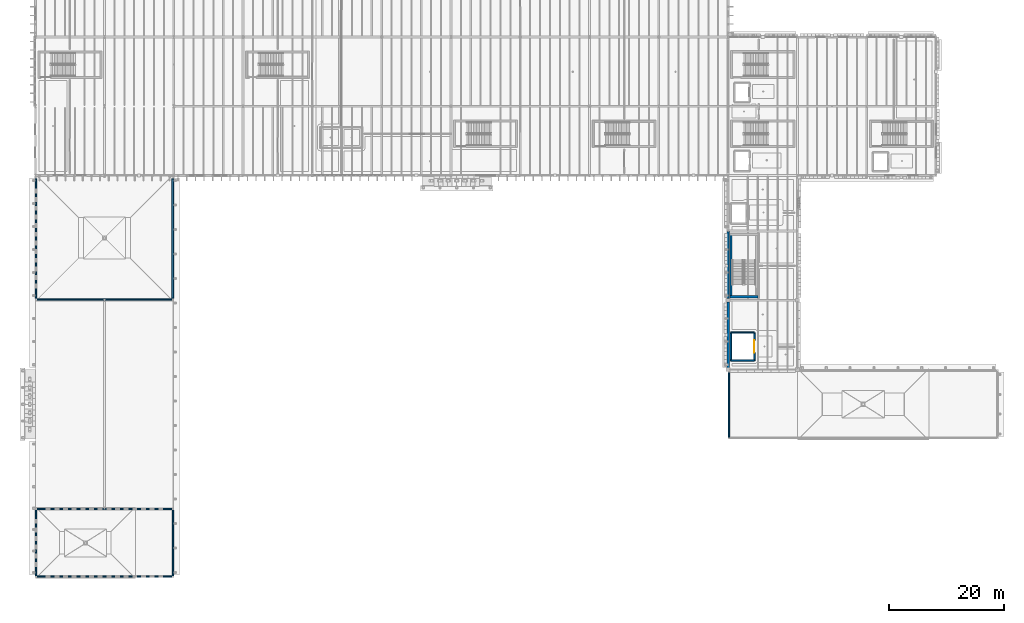
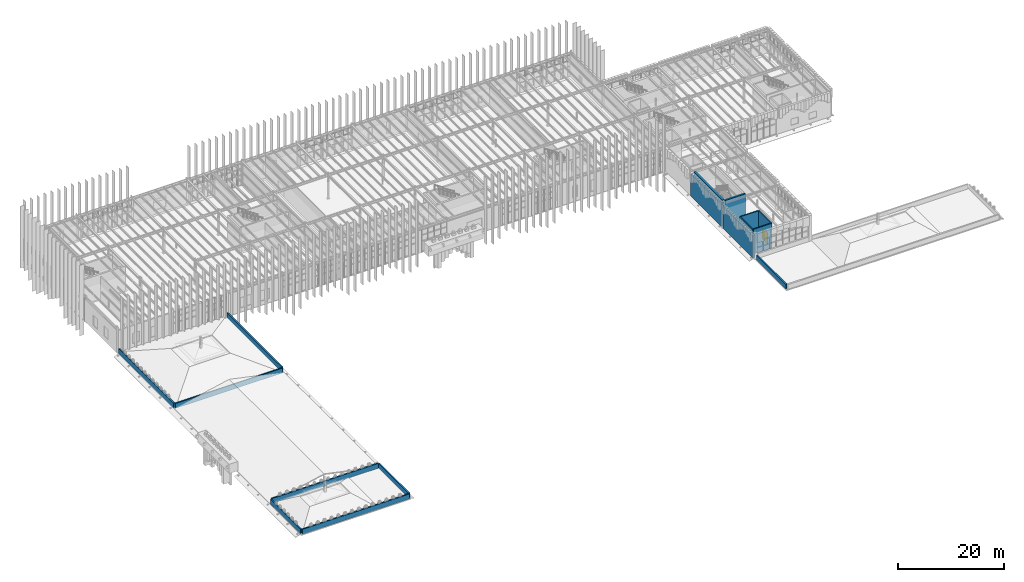
# One storey, part 44 of 83: 16 walls, 1 door, 1 opening.
"""IFC4 building model written with IfcOpenShell, lengths in metres."""

from ifc_helpers import new_model, si_unit, direction, frame, frame_2d, origin, place, context, subcontext, project, spatial, rectangle, extrude, material, layer, layer_set, type_object, element, fill, save


model = new_model("IFC4")

# Units and contexts
model_context = context("Model", 3, precision=1e-05, world=origin(), true_north=direction((0.0, 1.0)))
body_context = subcontext(model_context, "Body", "Model", "MODEL_VIEW")
ifc_project = project(units=[si_unit("LENGTHUNIT", "METRE"), si_unit("AREAUNIT", "SQUARE_METRE"), si_unit("VOLUMEUNIT", "CUBIC_METRE"), si_unit("PLANEANGLEUNIT", "RADIAN"), si_unit("MASSUNIT", "GRAM", prefix="KILO")], contexts=[model_context])

# Site, building, storey
site_placement = place(None, origin())
site = spatial("IfcSite", under=ifc_project, at=site_placement, CompositionType="ELEMENT")
building_placement = place(site_placement, origin())
building = spatial("IfcBuilding", under=site, at=building_placement, Name="Zlatogorsky Bluff Art Gallery", CompositionType="ELEMENT")
storey_placement = place(building_placement, frame((0.0, 0.0, 10.800048828125)))
storey = spatial("IfcBuildingStorey", under=building, at=storey_placement, Name="L02", CompositionType="ELEMENT", Elevation=10.800048828125)

# Walls
ifc_material_1 = material(Name="Precast concrete C40/50", Category="concrete")
ifc_layer_1 = layer(ifc_material_1, 0.43994140625)
ifc_layer_set_1 = layer_set([ifc_layer_1], Name="Exterior Wall EW-03 440mm")
wall_type_1 = type_object("IfcWallType", Name="Exterior Wall EW-03 440mm", PredefinedType="SOLIDWALL", material=ifc_layer_set_1)
wall_1_placement = place(storey_placement, frame((120.0, 62.080078125, 0.0), z_axis=(0.0, 0.0, 1.0), x_axis=(0.0, -1.0, 0.0)))
element("IfcWall", 1, at=wall_1_placement, inside=storey, type_object=wall_type_1, Name="Exterior wall EW-03 L02 W 10.5", PredefinedType="SOLIDWALL", context=body_context, shape_type="SweptSolid", body=[
    extrude(rectangle(XDim=11.360107421875, YDim=0.43994140625, at=frame_2d((5.68017578125, 0.0))), origin(), (0.0, 0.0, 1.0), 5.10986328125),
])
ifc_layer_2 = layer(ifc_material_1, 0.320068359375)
ifc_layer_set_2 = layer_set([ifc_layer_2], Name="Exterior Wall EW-04 320mm")
wall_type_2 = type_object("IfcWallType", Name="Exterior Wall EW-04 320mm", PredefinedType="SOLIDWALL", material=ifc_layer_set_2)
wall_2_placement = place(storey_placement, frame((120.0, 74.39990234375, 0.0), z_axis=(0.0, 0.0, 1.0), x_axis=(0.0, -1.0, 0.0)))
element("IfcWall", 2, at=wall_2_placement, inside=storey, type_object=wall_type_2, Name="Exterior wall EW-04 L02 W 10.6", PredefinedType="SOLIDWALL", context=body_context, shape_type="SweptSolid", body=[
    extrude(rectangle(XDim=11.679931640625, YDim=0.320068359375, at=frame_2d((5.83984375, 0.0))), origin(), (0.0, 0.0, 1.0), 5.10986328125),
])
ifc_layer_3 = layer(ifc_material_1, 0.260009765625)
ifc_layer_set_3 = layer_set([ifc_layer_3], Name="Exterior Wall PR-W1 260mm")
wall_type_3 = type_object("IfcWallType", Name="Exterior Wall PR-W1 260mm", PredefinedType="PARAPET", material=ifc_layer_set_3)
for number, where, z_axis, x_axis, name in (
    (3, (23.840087890625, 26.080078125, 0.0), (0.0, 0.0, 1.0), (0.0, -1.0, 0.0), "Sandstone roof parapet ROOF-FLAT-L02-01.1"),
    (4, (0.159912109375, 14.719970703125, 0.0), (0.0, 0.0, 1.0), (0.0, 1.0, 0.0), "Sandstone roof parapet ROOF-FLAT-L02-01.3"),
):
    element("IfcWall", number, at=place(storey_placement, frame(where, z_axis=z_axis, x_axis=x_axis)), inside=storey, type_object=wall_type_3, Name=name, PredefinedType="PARAPET", context=body_context, shape_type="SweptSolid", body=[
        extrude(rectangle(XDim=11.360107421875, YDim=0.260009765625, at=frame_2d((5.68017578125, 0.0))), origin(), (0.0, 0.0, 1.0), 1.14990234375),
    ])
wall_3_placement = place(storey_placement, frame((120.159912109375, 38.719970703125, 0.0), z_axis=(0.0, 0.0, 1.0), x_axis=(0.0, 1.0, 0.0)))
element("IfcWall", 5, at=wall_3_placement, inside=storey, type_object=wall_type_3, Name="Sandstone roof parapet ROOF-FLAT-L02-02.3", PredefinedType="PARAPET", context=body_context, shape_type="SweptSolid", body=[
    extrude(rectangle(XDim=11.159912109375, YDim=0.260009765625, at=frame_2d((5.580078125, 0.0))), origin(), (0.0, 0.0, 1.0), 1.14990234375),
])
wall_4_placement = place(storey_placement, frame((23.679931640625, 62.56005859375, 0.0), z_axis=(0.0, 0.0, 1.0), x_axis=(-1.0, 0.0, 0.0)))
element("IfcWall", 6, at=wall_4_placement, inside=storey, type_object=wall_type_3, Name="Sandstone roof parapet ROOF-FLAT-L02-03.3", PredefinedType="PARAPET", context=body_context, shape_type="SweptSolid", body=[
    extrude(rectangle(XDim=23.35986328125, YDim=0.260009765625, at=frame_2d((11.679931640625, 0.0))), origin(), (0.0, 0.0, 1.0), 1.14990234375),
])
ifc_layer_4 = layer(ifc_material_1, 0.300048828125)
ifc_layer_set_4 = layer_set([ifc_layer_4], Name="Exterior Wall PR-W2 300mm")
wall_type_4 = type_object("IfcWallType", Name="Exterior Wall PR-W2 300mm", PredefinedType="PARAPET", material=ifc_layer_set_4)
for number, where, z_axis, x_axis, name in (
    (7, (23.679931640625, 14.56005859375, 0.0), (0.0, 0.0, 1.0), (-1.0, 0.0, 0.0), "Sandstone roof parapet ROOF-FLAT-L02-01.2"),
    (8, (0.320068359375, 26.239990234375, 0.0), (0.0, 0.0, 1.0), (1.0, 0.0, 0.0), "Sandstone roof parapet ROOF-FLAT-L02-01.4"),
):
    element("IfcWall", number, at=place(storey_placement, frame(where, z_axis=z_axis, x_axis=x_axis)), inside=storey, type_object=wall_type_4, Name=name, PredefinedType="PARAPET", context=body_context, shape_type="SweptSolid", body=[
        extrude(rectangle(XDim=23.35986328125, YDim=0.300048828125, at=frame_2d((11.679931640625, 0.0))), origin(), (0.0, 0.0, 1.0), 1.14990234375),
    ])
for number, where, z_axis, x_axis, name in (
    (9, (23.840087890625, 83.47998046875, 0.0), (0.0, 0.0, 1.0), (0.0, -1.0, 0.0), "Sandstone roof parapet ROOF-FLAT-L02-03.2"),
    (10, (0.159912109375, 62.719970703125, 0.0), (0.0, 0.0, 1.0), (0.0, 1.0, 0.0), "Sandstone roof parapet ROOF-FLAT-L02-03.4"),
):
    element("IfcWall", number, at=place(storey_placement, frame(where, z_axis=z_axis, x_axis=x_axis)), inside=storey, type_object=wall_type_4, Name=name, PredefinedType="PARAPET", context=body_context, shape_type="SweptSolid", body=[
        extrude(rectangle(XDim=20.760009765625, YDim=0.300048828125, at=frame_2d((10.3798828125, 0.0))), origin(), (0.0, 0.0, 1.0), 1.14990234375),
    ])
ifc_material_2 = material(Name="Concrete C35/45", Category="concrete")
ifc_layer_5 = layer(ifc_material_2, 0.25)
ifc_layer_set_5 = layer_set([ifc_layer_5], Name="Interior Wall IW-05 250mm")
wall_type_5 = type_object("IfcWallType", Name="Interior Wall IW-05 250mm", PredefinedType="SOLIDWALL", material=ifc_layer_set_5)
wall_5_placement = place(storey_placement, frame((120.4951171875, 51.97509765625, 0.0), z_axis=(0.0, 0.0, 1.0), x_axis=(1.0, 0.0, 0.0)))
element("IfcWall", 11, at=wall_5_placement, inside=storey, type_object=wall_type_5, Name="Lift GL-1 shaft wall L02 S", PredefinedType="SOLIDWALL", context=body_context, shape_type="SweptSolid", body=[
    extrude(rectangle(XDim=4.0498046875, YDim=0.25, at=frame_2d((2.02490234375, 0.0))), origin(), (0.0, 0.0, 1.0), 5.68994140625),
])

# Wall, opening, door
wall_6_placement = place(storey_placement, frame((124.544921875, 51.97509765625, 0.0), z_axis=(0.0, 0.0, 1.0), x_axis=(0.0, 1.0, 0.0)))
wall_6 = element("IfcWall", 12, at=wall_6_placement, inside=storey, type_object=wall_type_5, Name="Lift GL-1 shaft wall L02 E", PredefinedType="SOLIDWALL", context=body_context, shape_type="SweptSolid", body=[
    extrude(rectangle(XDim=4.849853515625, YDim=0.25, at=frame_2d((2.4248046875, 0.0))), origin(), (0.0, 0.0, 1.0), 5.68994140625),
])
opening_placement = place(wall_6_placement, frame((1.324951171875, 0.0, 0.0)))
opening = element("IfcOpeningElement", 13, at=opening_placement, cuts=wall_6, Name="Opening LD-04", PredefinedType="OPENING", context=body_context, shape_type="SweptSolid", body=[
    extrude(rectangle(XDim=2.199951171875, YDim=2.64990234375, at=frame_2d((1.10009765625, 1.324951171875))), frame((0.0, 0.135009765625, 0.0), z_axis=(0.0, -1.0, 0.0), x_axis=(1.0, 0.0, 0.0)), (0.0, 0.0, 1.0), 0.27001953125),
])
ifc_material_3 = material(Name="Anodised Aluminium and Laminated Timber", Category="wood")
door_type = type_object("IfcDoorType", Name="Interior Door LD-04 2200x2650", OperationType="DOUBLE_DOOR_SLIDING", PredefinedType="DOOR", material=ifc_material_3)
door_placement = place(opening_placement, origin())
door = element("IfcDoor", 14, at=door_placement, inside=storey, type_object=door_type, Name="Lift GL-1 sliding landing door L02", OperationType="DOUBLE_DOOR_SLIDING", OverallHeight=2.64990234375, OverallWidth=2.199951171875, PredefinedType="DOOR", context=body_context, shape_type="SweptSolid", body=[
    extrude(rectangle(XDim=2.199951171875, YDim=2.64990234375, at=frame_2d((1.10009765625, 1.324951171875))), frame((0.0, 0.02490234375, 0.0), z_axis=(0.0, -1.0, 0.0), x_axis=(1.0, 0.0, 0.0)), (0.0, 0.0, 1.0), 0.050048828125),
])
fill(opening, door)

# Walls
wall_7_placement = place(storey_placement, frame((124.544921875, 56.824951171875, 0.0), z_axis=(0.0, 0.0, 1.0), x_axis=(-1.0, 0.0, 0.0)))
element("IfcWall", 15, at=wall_7_placement, inside=storey, type_object=wall_type_5, Name="Lift GL-1 shaft wall L02 N", PredefinedType="SOLIDWALL", context=body_context, shape_type="SweptSolid", body=[
    extrude(rectangle(XDim=4.0498046875, YDim=0.25, at=frame_2d((2.02490234375, 0.0))), origin(), (0.0, 0.0, 1.0), 5.68994140625),
])
wall_8_placement = place(storey_placement, frame((120.4951171875, 56.824951171875, 0.0), z_axis=(0.0, 0.0, 1.0), x_axis=(0.0, -1.0, 0.0)))
element("IfcWall", 16, at=wall_8_placement, inside=storey, type_object=wall_type_5, Name="Lift GL-1 shaft wall L02 W", PredefinedType="SOLIDWALL", context=body_context, shape_type="SweptSolid", body=[
    extrude(rectangle(XDim=4.849853515625, YDim=0.25, at=frame_2d((2.4248046875, 0.0))), origin(), (0.0, 0.0, 1.0), 5.68994140625),
])
ifc_layer_6 = layer(ifc_material_2, 0.39990234375)
ifc_layer_set_6 = layer_set([ifc_layer_6], Name="Interior Wall SW-03 400mm")
wall_type_6 = type_object("IfcWallType", Name="Interior Wall SW-03 400mm", PredefinedType="SHEAR", material=ifc_layer_set_6)
wall_9_placement = place(storey_placement, frame((120.5, 74.0, 0.0), z_axis=(0.0, 0.0, 1.0), x_axis=(0.0, -1.0, 0.0)))
element("IfcWall", 17, at=wall_9_placement, inside=storey, type_object=wall_type_6, Name="Stair ST-06 enclosure wall L02 W1", PredefinedType="SHEAR", context=body_context, shape_type="SweptSolid", body=[
    extrude(rectangle(XDim=11.199951171875, YDim=0.39990234375, at=frame_2d((5.60009765625, 0.0))), origin(), (0.0, 0.0, 1.0), 5.68994140625),
])
wall_10_placement = place(storey_placement, frame((120.300048828125, 63.0, 0.0), z_axis=(0.0, 0.0, 1.0), x_axis=(1.0, 0.0, 0.0)))
element("IfcWall", 18, at=wall_10_placement, inside=storey, type_object=wall_type_6, Name="Stair ST-06 enclosure wall L02 LEND", PredefinedType="SHEAR", context=body_context, shape_type="SweptSolid", body=[
    extrude(rectangle(XDim=4.849853515625, YDim=0.39990234375, at=frame_2d((2.4248046875, 0.0))), origin(), (0.0, 0.0, 1.0), 5.68994140625),
])

save(model, "model.ifc")
